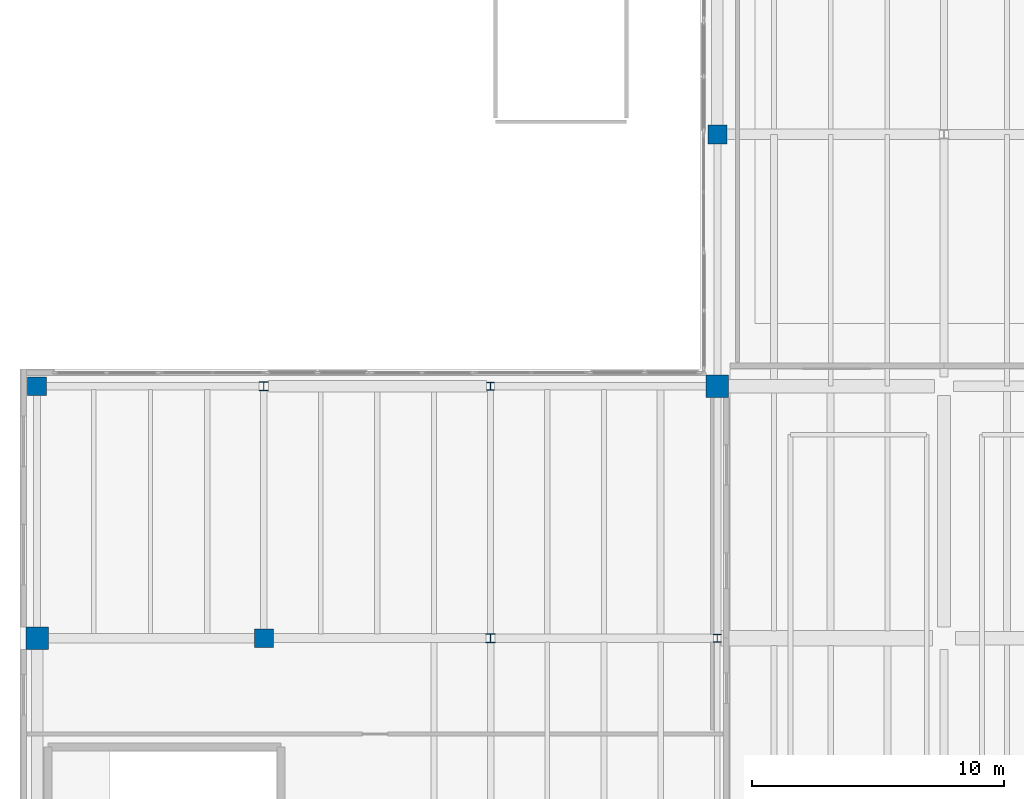
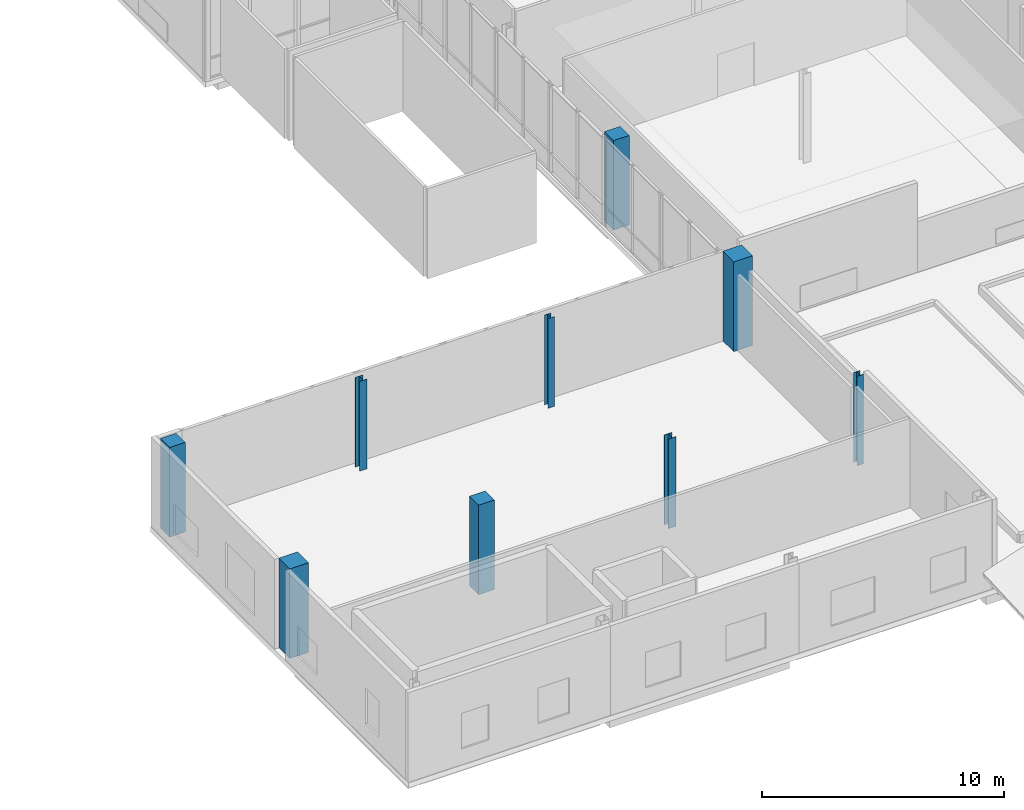
# One storey, part 3 of 30: 9 columns.
"""IFC4 building model written with IfcOpenShell, lengths in metres."""

from ifc_helpers import new_model, si_unit, direction, frame, origin, origin_2d, place, context, subcontext, project, spatial, rectangle, i_section, extrude, material, material_profile, profile_set, type_object, element, save


model = new_model("IFC4")

# Units and contexts
model_context = context("Model", 3, precision=1e-05, world=origin(), true_north=direction((0.0, 1.0)))
body_context = subcontext(model_context, "Body", "Model", "MODEL_VIEW")
ifc_project = project(units=[si_unit("LENGTHUNIT", "METRE"), si_unit("AREAUNIT", "SQUARE_METRE"), si_unit("VOLUMEUNIT", "CUBIC_METRE"), si_unit("PLANEANGLEUNIT", "RADIAN"), si_unit("MASSUNIT", "GRAM", prefix="KILO")], contexts=[model_context])

# Site, building, storey
site_placement = place(None, origin())
site = spatial("IfcSite", under=ifc_project, at=site_placement, CompositionType="ELEMENT")
building_placement = place(site_placement, origin())
building = spatial("IfcBuilding", under=site, at=building_placement, Name="Trimount Lyric Opera House", CompositionType="ELEMENT")
storey_placement = place(building_placement, frame((0.0, 0.0, 24.800048828125)))
storey = spatial("IfcBuildingStorey", under=building, at=storey_placement, Name="L05", CompositionType="ELEMENT", Elevation=24.800048828125)

# Columns
ifc_material_1 = material(Name="Steel ASTM A992 Grade 50", Category="steel")
ifc_material_profile_1 = material_profile(ifc_material_1, i_section(OverallWidth=0.304931640625, OverallDepth=0.306884765625, WebThickness=0.010009765625, FlangeThickness=0.015380859375, FilletRadius=0.012939453125, at=origin_2d()), Name="W12X65")
ifc_profile_set_1 = profile_set([ifc_material_profile_1], Name="Steel ASTM A992 Grade 50")
column_type_1 = type_object("IfcColumnType", Name="C-06", PredefinedType="COLUMN", material=ifc_profile_set_1)
for number, where, z_axis, x_axis, name in (
    (1, (36.0, 74.0, 0.0), (0.0, 0.0, 1.0), (1.0, 0.0, 0.0), "L05 column 5/J"),
    (2, (45.0, 64.0, 0.0), (0.0, 0.0, 1.0), (1.0, 0.0, 0.0), "L05 column 6/H"),
):
    element("IfcColumn", number, at=place(storey_placement, frame(where, z_axis=z_axis, x_axis=x_axis)), inside=storey, type_object=column_type_1, Name=name, PredefinedType="COLUMN", context=body_context, shape_type="SweptSolid", body=[
        extrude(i_section(OverallWidth=0.304931640625, OverallDepth=0.306884765625, WebThickness=0.010009765625, FlangeThickness=0.015380859375, FilletRadius=0.012939453125, at=origin_2d()), origin(), (0.0, 0.0, 1.0), 4.530029296875),
    ])
ifc_material_2 = material(Name="Steel ASTM A992 Grade 50", Category="steel")
ifc_material_profile_2 = material_profile(ifc_material_2, i_section(OverallWidth=0.367919921875, OverallDepth=0.35595703125, WebThickness=0.01123046875, FlangeThickness=0.01806640625, FilletRadius=0.014892578125, at=origin_2d()), Name="W14X90")
ifc_profile_set_2 = profile_set([ifc_material_profile_2], Name="Steel ASTM A992 Grade 50")
column_type_2 = type_object("IfcColumnType", Name="C-09", PredefinedType="COLUMN", material=ifc_profile_set_2)
for number, where, z_axis, x_axis, name in (
    (3, (27.0, 74.0, 0.0), (0.0, 0.0, 1.0), (1.0, 0.0, 0.0), "L05 column 4/J"),
    (4, (36.0, 64.0, 0.0), (0.0, 0.0, 1.0), (1.0, 0.0, 0.0), "L05 column 5/H"),
):
    element("IfcColumn", number, at=place(storey_placement, frame(where, z_axis=z_axis, x_axis=x_axis)), inside=storey, type_object=column_type_2, Name=name, PredefinedType="COLUMN", context=body_context, shape_type="SweptSolid", body=[
        extrude(i_section(OverallWidth=0.367919921875, OverallDepth=0.35595703125, WebThickness=0.01123046875, FlangeThickness=0.01806640625, FilletRadius=0.014892578125, at=origin_2d()), origin(), (0.0, 0.0, 1.0), 4.530029296875),
    ])
ifc_material_3 = material(Name="Concrete C50/60", Category="concrete")
ifc_material_profile_3 = material_profile(ifc_material_3, rectangle(XDim=0.89990234375, YDim=0.89990234375, at=origin_2d()), Name="RC900X900")
ifc_profile_set_3 = profile_set([ifc_material_profile_3], Name="Concrete C50/60")
column_type_3 = type_object("IfcColumnType", Name="C-13", PredefinedType="COLUMN", material=ifc_profile_set_3)
for number, where, z_axis, x_axis, name in (
    (5, (18.0, 64.0, 0.0), (0.0, 0.0, 1.0), (1.0, 0.0, 0.0), "L05 column 3/H"),
    (6, (45.0, 74.0, 0.0), (0.0, 0.0, 1.0), (1.0, 0.0, 0.0), "L05 column 6/J"),
):
    element("IfcColumn", number, at=place(storey_placement, frame(where, z_axis=z_axis, x_axis=x_axis)), inside=storey, type_object=column_type_3, Name=name, PredefinedType="COLUMN", context=body_context, shape_type="SweptSolid", body=[
        extrude(rectangle(XDim=0.89990234375, YDim=0.89990234375, at=origin_2d()), origin(), (0.0, 0.0, 1.0), 4.530029296875),
    ])
ifc_material_4 = material(Name="Concrete C40/50", Category="concrete")
ifc_material_profile_4 = material_profile(ifc_material_4, rectangle(XDim=0.75, YDim=0.75, at=origin_2d()), Name="RC750X750")
ifc_profile_set_4 = profile_set([ifc_material_profile_4], Name="Concrete C40/50")
column_type_4 = type_object("IfcColumnType", Name="C-15", PredefinedType="COLUMN", material=ifc_profile_set_4)
for number, where, z_axis, x_axis, name in (
    (7, (18.0, 74.0, 0.0), (0.0, 0.0, 1.0), (1.0, 0.0, 0.0), "L05 column 3/J"),
    (8, (27.0, 64.0, 0.0), (0.0, 0.0, 1.0), (1.0, 0.0, 0.0), "L05 column 4/H"),
    (9, (45.0, 84.0, 0.0), (0.0, 0.0, 1.0), (1.0, 0.0, 0.0), "L05 column 6/K"),
):
    element("IfcColumn", number, at=place(storey_placement, frame(where, z_axis=z_axis, x_axis=x_axis)), inside=storey, type_object=column_type_4, Name=name, PredefinedType="COLUMN", context=body_context, shape_type="SweptSolid", body=[
        extrude(rectangle(XDim=0.75, YDim=0.75, at=origin_2d()), origin(), (0.0, 0.0, 1.0), 4.530029296875),
    ])

save(model, "model.ifc")
